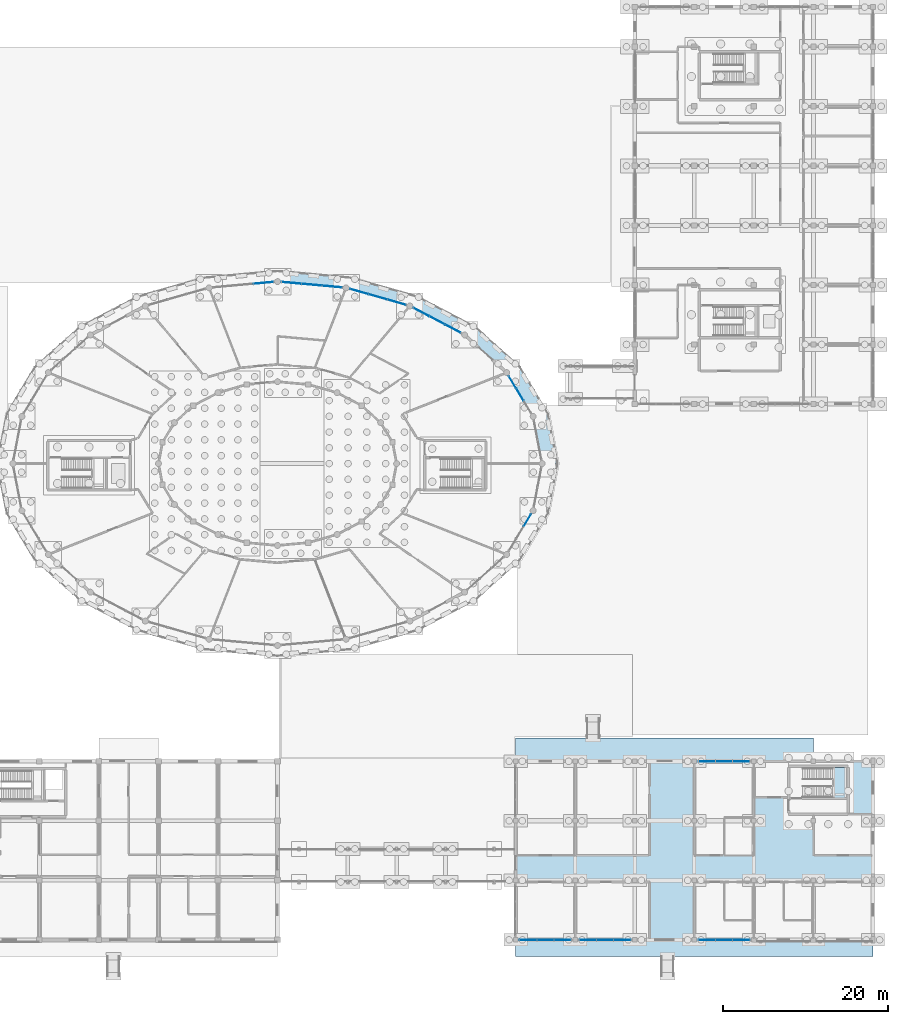
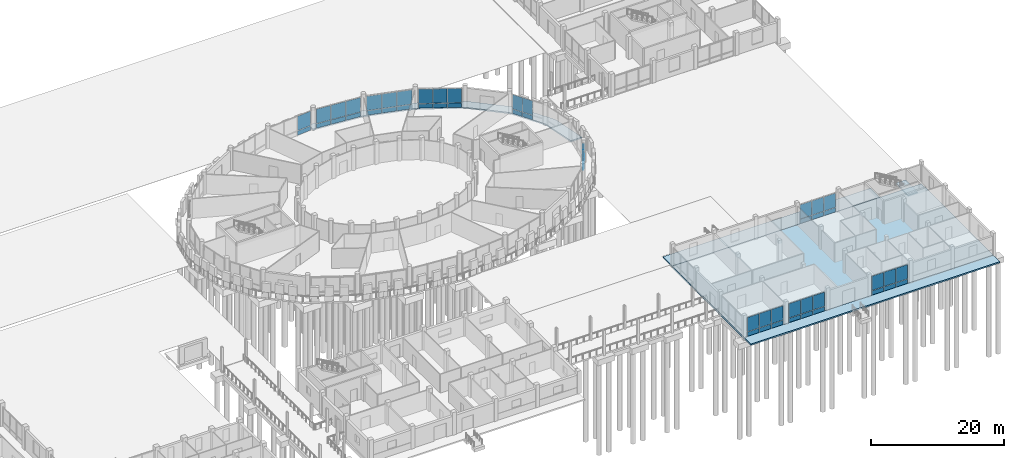
# One storey, part 68 of 98: 50 plates, 5 slabs, 11 elements without a shape of their own.
"""IFC4 building model written with IfcOpenShell, lengths in metres."""

import ifcopenshell
import ifcopenshell.guid

model = None  # the IFC model being written
_history = None  # IfcOwnerHistory: only IFC2X3 demands one
_inside = {}  # id of a spatial element -> (the spatial element, [elements in it])
_under = {}  # id of a project, library or spatial element -> (it, [spatial elements below it])
_declared = {}  # id of a project -> (the project, [libraries it declares])
_typed = {}  # id of a type object -> (the type object, [elements of that type])
_made_of = {}  # id of a material, layer set ... -> (it, [elements and type objects made of it])


def new_model(schema):
    """Start an empty IFC model of exactly this schema.

    Asked for "IFC4X3", IfcOpenShell would pick the latest addendum, in which some entities
    have other attributes; the version numbers below select the first issue.
    IFC2X3 requires an IfcOwnerHistory on every rooted entity: one is made here for all.
    """
    global model, _history
    if schema == "IFC4X3":
        model = ifcopenshell.file(schema_version=(4, 3, 0, 0))
    else:
        model = ifcopenshell.file(schema=schema)
    _inside.clear()
    _under.clear()
    _declared.clear()
    _typed.clear()
    _made_of.clear()
    _history = None
    if model.schema == "IFC2X3":
        org = make("IfcOrganization", Name="unknown")
        user = make(
            "IfcPersonAndOrganization",
            ThePerson=make("IfcPerson", FamilyName="unknown"),
            TheOrganization=org,
        )
        app = make(
            "IfcApplication",
            ApplicationDeveloper=org,
            Version="unknown",
            ApplicationFullName="unknown",
            ApplicationIdentifier="unknown",
        )
        _history = make(
            "IfcOwnerHistory",
            OwningUser=user,
            OwningApplication=app,
            ChangeAction="ADDED",
            CreationDate=0,
        )
    return model


def make(cls, **values):
    """One entity of the class cls with the attributes given. An attribute that is None is left unset."""
    return model.create_entity(
        cls, **{name: value for name, value in values.items() if value is not None}
    )


def rooted(cls, **values):
    """An entity with a GlobalId (a new one), such as an element, a storey or a relation."""
    return make(cls, GlobalId=ifcopenshell.guid.new(), OwnerHistory=_history, **values)


def si_unit(unit_type, name, prefix=None):
    """IfcSIUnit, for example si_unit("LENGTHUNIT", "METRE", prefix="MILLI")."""
    return make("IfcSIUnit", UnitType=unit_type, Prefix=prefix, Name=name)


def assignment(units):
    """IfcUnitAssignment: the units of a project."""
    return None if units is None else make("IfcUnitAssignment", Units=units)


def point(xyz):
    """IfcCartesianPoint."""
    return None if xyz is None else make("IfcCartesianPoint", Coordinates=xyz)


def direction(xyz):
    """IfcDirection."""
    return None if xyz is None else make("IfcDirection", DirectionRatios=xyz)


def frame(location, z_axis=None, x_axis=None):
    """IfcAxis2Placement3D, a coordinate frame: its origin and axes. An axis left out is left unset."""
    return make(
        "IfcAxis2Placement3D",
        Location=point(location),
        Axis=direction(z_axis),
        RefDirection=direction(x_axis),
    )


def frame_2d(location, x_axis=None):
    """IfcAxis2Placement2D, a coordinate frame in the plane: its origin and x axis."""
    return make(
        "IfcAxis2Placement2D", Location=point(location), RefDirection=direction(x_axis)
    )


def origin():
    """The frame at (0, 0, 0) with its axes left unset."""
    return frame((0.0, 0.0, 0.0))


def origin_2d():
    """The frame at (0, 0) in the plane with its x axis left unset."""
    return frame_2d((0.0, 0.0))


def place(relative_to, where):
    """IfcLocalPlacement: puts the frame where relative to a parent placement (None: the world)."""
    return make(
        "IfcLocalPlacement", PlacementRelTo=relative_to, RelativePlacement=where
    )


def context(
    kind, dimensions, precision=None, world=None, true_north=None, identifier=None
):
    """IfcGeometricRepresentationContext, for example the 3D "Model" context."""
    return make(
        "IfcGeometricRepresentationContext",
        ContextIdentifier=identifier,
        ContextType=kind,
        CoordinateSpaceDimension=dimensions,
        Precision=precision,
        WorldCoordinateSystem=world,
        TrueNorth=true_north,
    )


def subcontext(parent, identifier, kind, view, scale=None):
    """IfcGeometricRepresentationSubContext, for example "Body" below "Model"."""
    return make(
        "IfcGeometricRepresentationSubContext",
        ContextIdentifier=identifier,
        ContextType=kind,
        ParentContext=parent,
        TargetScale=scale,
        TargetView=view,
    )


def project(units=None, contexts=None):
    """IfcProject with its units and contexts."""
    return rooted(
        "IfcProject",
        Name="project",
        RepresentationContexts=contexts,
        UnitsInContext=assignment(units),
    )


def spatial(cls, under=None, at=None, **own):
    """A site, building, storey or space (cls), placed at a placement, below another one or the project."""
    s = rooted(cls, ObjectPlacement=at, **own)
    if under is not None:
        _under.setdefault(under.id(), (under, []))[1].append(s)
    return s


def polyline(points):
    """IfcPolyline through the points."""
    return make("IfcPolyline", Points=[point(p) for p in points])


def profile(cls, at=None, kind="AREA", **sizes):
    """A parametric profile (cls). Its sizes go by their IFC names, for example OverallWidth=200.0."""
    return make(cls, ProfileType=kind, Position=at, **sizes)


def rectangle(**sizes):
    """IfcRectangleProfileDef."""
    return profile("IfcRectangleProfileDef", **sizes)


def outline(outer, holes=None, kind="AREA"):
    """IfcArbitraryClosedProfileDef: a profile drawn as a closed curve; with holes, ...WithVoids."""
    if holes is None:
        return make("IfcArbitraryClosedProfileDef", ProfileType=kind, OuterCurve=outer)
    return make(
        "IfcArbitraryProfileDefWithVoids",
        ProfileType=kind,
        OuterCurve=outer,
        InnerCurves=holes,
    )


def extrude(swept, where, along, depth):
    """IfcExtrudedAreaSolid: the profile swept, set in the frame where, extruded along a direction by depth."""
    return make(
        "IfcExtrudedAreaSolid",
        SweptArea=swept,
        Position=where,
        ExtrudedDirection=direction(along),
        Depth=depth,
    )


def shape(context_of_items, identifier, shape_type, items):
    """IfcShapeRepresentation: the items that make up one representation, for example the "Body"."""
    return make(
        "IfcShapeRepresentation",
        ContextOfItems=context_of_items,
        RepresentationIdentifier=identifier,
        RepresentationType=shape_type,
        Items=items,
    )


def material(Name=None, Category=None):
    """IfcMaterial."""
    return make("IfcMaterial", Name=Name, Category=Category)


def layer(
    of_material, thickness, ventilated=None, Name=None, Category=None, Priority=None
):
    """IfcMaterialLayer: one layer of a wall or slab, of a material (None: an air gap)."""
    return make(
        "IfcMaterialLayer",
        Material=of_material,
        LayerThickness=thickness,
        IsVentilated=ventilated,
        Name=Name,
        Category=Category,
        Priority=Priority,
    )


def layer_set(layers, Name=None):
    """IfcMaterialLayerSet."""
    return make("IfcMaterialLayerSet", MaterialLayers=layers, LayerSetName=Name)


def made_of(thing, what):
    """Note that an element or type object is made of a material, layer set ...; save() writes the relation."""
    if what is not None:
        _made_of.setdefault(what.id(), (what, []))[1].append(thing)
    return thing


def type_object(cls, material=None, **own):
    """A type object (cls), such as IfcWallType, which elements share."""
    return made_of(rooted(cls, **own), material)


def element(
    cls,
    number,
    at=None,
    inside=None,
    cuts=None,
    type_object=None,
    material=None,
    context=None,
    identifier="Body",
    shape_type=None,
    held_by="IfcProductDefinitionShape",
    body=None,
    shapes=None,
    **own,
):
    """One element of the class cls, such as IfcWall. Its Tag is "e" and its number.

    at: its placement. inside: the storey or other place that contains it. cuts: it is an
    opening in that element (IfcRelVoidsElement). A single representation is given by context,
    identifier, shape_type and body (its items); several are given by shapes. held_by: the class
    of the entity that holds the representations. save() writes the other relations.
    """
    e = rooted(cls, Tag="e%d" % number, ObjectPlacement=at, **own)
    if body is not None:
        shapes = [shape(context, identifier, shape_type, body)]
    if shapes is not None:
        e.Representation = make(held_by, Representations=shapes)
    if inside is not None:
        _inside.setdefault(inside.id(), (inside, []))[1].append(e)
    if cuts is not None:
        rooted(
            "IfcRelVoidsElement", RelatingBuildingElement=cuts, RelatedOpeningElement=e
        )
    if type_object is not None:
        _typed.setdefault(type_object.id(), (type_object, []))[1].append(e)
    return made_of(e, material)


def aggregate(whole, parts):
    """IfcRelAggregates: a whole, such as a stair, and the parts it consists of."""
    return rooted("IfcRelAggregates", RelatingObject=whole, RelatedObjects=parts)


def save(model, path):
    """Write the relations noted so far, then the file.

    IfcRelAggregates (storeys below a building ...), IfcRelContainedInSpatialStructure (elements
    in a storey), IfcRelDefinesByType, IfcRelAssociatesMaterial and IfcRelDeclares: one each for
    every whole, place, type object, material and project.
    """
    for whole, parts in _under.values():
        aggregate(whole, parts)
    for where, things in _inside.values():
        rooted(
            "IfcRelContainedInSpatialStructure",
            RelatedElements=things,
            RelatingStructure=where,
        )
    for kind, things in _typed.values():
        rooted("IfcRelDefinesByType", RelatedObjects=things, RelatingType=kind)
    for what, things in _made_of.values():
        rooted("IfcRelAssociatesMaterial", RelatedObjects=things, RelatingMaterial=what)
    for by, libraries in _declared.values():
        rooted("IfcRelDeclares", RelatingContext=by, RelatedDefinitions=libraries)
    model.write(path)


model = new_model("IFC4")

# Units and contexts
model_context = context("Model", 3, precision=1e-05, world=origin(), true_north=direction((0.0, 1.0)))
body_context = subcontext(model_context, "Body", "Model", "MODEL_VIEW")
ifc_project = project(units=[si_unit("LENGTHUNIT", "METRE"), si_unit("AREAUNIT", "SQUARE_METRE"), si_unit("VOLUMEUNIT", "CUBIC_METRE"), si_unit("PLANEANGLEUNIT", "RADIAN"), si_unit("MASSUNIT", "GRAM", prefix="KILO")], contexts=[model_context])

# Site, building, storey
site_placement = place(None, origin())
site = spatial("IfcSite", under=ifc_project, at=site_placement, CompositionType="ELEMENT")
building_placement = place(site_placement, origin())
building = spatial("IfcBuilding", under=site, at=building_placement, Name="Zornivar Specialist Clinic", CompositionType="ELEMENT")
storey_placement = place(building_placement, origin())
storey = spatial("IfcBuildingStorey", under=building, at=storey_placement, Name="L00", CompositionType="ELEMENT", Elevation=0.0)

# Curtain wall, plate
ifc_material_1 = material(Name="Aluminium and Low-E Glass Curtain Wall", Category="aluminium")
curtain_wall_type_1 = type_object("IfcCurtainWallType", Name="CW-DRUM-FACET", PredefinedType="NOTDEFINED", material=ifc_material_1)
curtain_wall_1_placement = place(storey_placement, origin())
curtain_wall_1 = element("IfcCurtainWall", 1, at=curtain_wall_1_placement, inside=storey, type_object=curtain_wall_type_1, Name="cw:V1:L00:c06", PredefinedType="NOTDEFINED")
ifc_material_2 = material(Name="Insulated Bronze Spandrel Panel")
ifc_layer_1 = layer(ifc_material_2, 0.048095703125)
ifc_layer_set_1 = layer_set([ifc_layer_1], Name="Insulated Bronze Spandrel Panel")
plate_type_1 = type_object("IfcPlateType", Name="CWP-SPN-A", PredefinedType="CURTAIN_PANEL", material=ifc_layer_set_1)
plate_1_placement = place(storey_placement, frame((91.90087890625, 79.446044921875, 0.030029296875), z_axis=(0.0, 0.0, 1.0), x_axis=(-0.995932792393, -0.09009923993, 0.0)))
plate_1 = element("IfcPlate", 2, at=plate_1_placement, type_object=plate_type_1, Name="cw:V1:L00:c06:spn:0", PredefinedType="CURTAIN_PANEL", context=body_context, shape_type="SweptSolid", body=[
    extrude(rectangle(XDim=2.382080078125, YDim=0.048095703125, at=origin_2d()), origin(), (0.0, 0.0, 1.0), 0.7900390625),
])

# Curtain wall, plates
curtain_wall_2_placement = place(storey_placement, origin())
curtain_wall_2 = element("IfcCurtainWall", 3, at=curtain_wall_2_placement, inside=storey, type_object=curtain_wall_type_1, Name="cw:V1:L00:c01", PredefinedType="NOTDEFINED")
ifc_material_3 = material(Name="Insulated Bronze Spandrel Panel")
ifc_layer_2 = layer(ifc_material_3, 0.048095703125)
ifc_layer_set_2 = layer_set([ifc_layer_2], Name="Insulated Bronze Spandrel Panel")
plate_type_2 = type_object("IfcPlateType", Name="CWP-SPN-B", PredefinedType="CURTAIN_PANEL", material=ifc_layer_set_2)
plate_2_placement = place(storey_placement, frame((122.912109375, 65.947021484375, 0.030029296875), z_axis=(0.0, 0.0, 1.0), x_axis=(-0.516127401954, 0.856511824175, 0.0)))
plate_2 = element("IfcPlate", 4, at=plate_2_placement, type_object=plate_type_2, Name="cw:V1:L00:c01:spn:1", PredefinedType="CURTAIN_PANEL", context=body_context, shape_type="SweptSolid", body=[
    extrude(rectangle(XDim=1.675048828125, YDim=0.048095703125, at=origin_2d()), origin(), (0.0, 0.0, 1.0), 0.7900390625),
])
plate_3_placement = place(storey_placement, frame((122.010986328125, 67.44189453125, 0.030029296875), z_axis=(0.0, 0.0, 1.0), x_axis=(-0.516127401954, 0.856511824175, 0.0)))
plate_3 = element("IfcPlate", 5, at=plate_3_placement, type_object=plate_type_2, Name="cw:V1:L00:c01:spn:2", PredefinedType="CURTAIN_PANEL", context=body_context, shape_type="SweptSolid", body=[
    extrude(rectangle(XDim=1.675048828125, YDim=0.048095703125, at=origin_2d()), origin(), (0.0, 0.0, 1.0), 0.7900390625),
])

curtain_wall_3_placement = place(storey_placement, origin())
curtain_wall_3 = element("IfcCurtainWall", 6, at=curtain_wall_3_placement, inside=storey, type_object=curtain_wall_type_1, Name="cw:V1:L00:c03", PredefinedType="NOTDEFINED")
ifc_material_4 = material(Name="Insulated Limestone-Faced Spandrel Panel", Category="masonry")
ifc_layer_3 = layer(ifc_material_4, 0.05810546875)
ifc_layer_set_3 = layer_set([ifc_layer_3], Name="Insulated Limestone-Faced Spandrel Panel")
plate_type_3 = type_object("IfcPlateType", Name="CWP-SPN-D", PredefinedType="CURTAIN_PANEL", material=ifc_layer_set_3)
plate_4_placement = place(storey_placement, frame((114.839111328125, 73.887939453125, 0.030029296875), z_axis=(0.0, 0.0, 1.0), x_axis=(-0.884383019078, 0.46676190458, 0.0)))
plate_4 = element("IfcPlate", 7, at=plate_4_placement, type_object=plate_type_3, Name="cw:V1:L00:c03:spn:0", PredefinedType="CURTAIN_PANEL", context=body_context, shape_type="SweptSolid", body=[
    extrude(rectangle(XDim=2.10791015625, YDim=0.05810546875, at=origin_2d()), origin(), (0.0, 0.0, 1.0), 0.7900390625),
])
plate_5_placement = place(storey_placement, frame((112.9130859375, 74.904052734375, 0.030029296875), z_axis=(0.0, 0.0, 1.0), x_axis=(-0.884383019078, 0.46676190458, 0.0)))
plate_5 = element("IfcPlate", 8, at=plate_5_placement, type_object=plate_type_3, Name="cw:V1:L00:c03:spn:1", PredefinedType="CURTAIN_PANEL", context=body_context, shape_type="SweptSolid", body=[
    extrude(rectangle(XDim=2.10791015625, YDim=0.05810546875, at=origin_2d()), origin(), (0.0, 0.0, 1.0), 0.7900390625),
])
plate_6_placement = place(storey_placement, frame((110.987060546875, 75.9208984375, 0.030029296875), z_axis=(0.0, 0.0, 1.0), x_axis=(-0.884383019078, 0.46676190458, 0.0)))
plate_6 = element("IfcPlate", 9, at=plate_6_placement, type_object=plate_type_3, Name="cw:V1:L00:c03:spn:2", PredefinedType="CURTAIN_PANEL", context=body_context, shape_type="SweptSolid", body=[
    extrude(rectangle(XDim=2.10791015625, YDim=0.05810546875, at=origin_2d()), origin(), (0.0, 0.0, 1.0), 0.7900390625),
])

curtain_wall_4_placement = place(storey_placement, origin())
curtain_wall_4 = element("IfcCurtainWall", 10, at=curtain_wall_4_placement, inside=storey, type_object=curtain_wall_type_1, Name="cw:V1:L00:c04", PredefinedType="NOTDEFINED")
ifc_material_5 = material(Name="Insulated Bronze Spandrel Panel")
ifc_layer_4 = layer(ifc_material_5, 0.0458984375)
ifc_layer_set_4 = layer_set([ifc_layer_4], Name="Insulated Bronze Spandrel Panel")
plate_type_4 = type_object("IfcPlateType", Name="CWP-SPN-E", PredefinedType="CURTAIN_PANEL", material=ifc_layer_set_4)
plate_7_placement = place(storey_placement, frame((108.006103515625, 77.10595703125, 0.030029296875), z_axis=(0.0, 0.0, 1.0), x_axis=(-0.961761244933, 0.273889225319, 0.0)))
plate_7 = element("IfcPlate", 11, at=plate_7_placement, type_object=plate_type_4, Name="cw:V1:L00:c04:spn:0", PredefinedType="CURTAIN_PANEL", context=body_context, shape_type="SweptSolid", body=[
    extrude(rectangle(XDim=2.284912109375, YDim=0.0458984375, at=origin_2d()), origin(), (0.0, 0.0, 1.0), 0.7900390625),
])
plate_8_placement = place(storey_placement, frame((105.740966796875, 77.7509765625, 0.030029296875), z_axis=(0.0, 0.0, 1.0), x_axis=(-0.961761244933, 0.273889225319, 0.0)))
plate_8 = element("IfcPlate", 12, at=plate_8_placement, type_object=plate_type_4, Name="cw:V1:L00:c04:spn:1", PredefinedType="CURTAIN_PANEL", context=body_context, shape_type="SweptSolid", body=[
    extrude(rectangle(XDim=2.284912109375, YDim=0.0458984375, at=origin_2d()), origin(), (0.0, 0.0, 1.0), 0.7900390625),
])
plate_9_placement = place(storey_placement, frame((103.47607421875, 78.39599609375, 0.030029296875), z_axis=(0.0, 0.0, 1.0), x_axis=(-0.961761244933, 0.273889225319, 0.0)))
plate_9 = element("IfcPlate", 13, at=plate_9_placement, type_object=plate_type_4, Name="cw:V1:L00:c04:spn:2", PredefinedType="CURTAIN_PANEL", context=body_context, shape_type="SweptSolid", body=[
    extrude(rectangle(XDim=2.284912109375, YDim=0.0458984375, at=origin_2d()), origin(), (0.0, 0.0, 1.0), 0.7900390625),
])

# Curtain wall, plate
curtain_wall_5_placement = place(storey_placement, origin())
curtain_wall_5 = element("IfcCurtainWall", 14, at=curtain_wall_5_placement, inside=storey, type_object=curtain_wall_type_1, Name="cw:V1:L00:c22", PredefinedType="NOTDEFINED")
plate_10_placement = place(storey_placement, frame((123.81201171875, 50.748046875, 0.030029296875), z_axis=(0.0, 0.0, 1.0), x_axis=(0.516127401954, 0.856511824175, 0.0)))
plate_10 = element("IfcPlate", 15, at=plate_10_placement, type_object=plate_type_4, Name="cw:V1:L00:c22:spn:2", PredefinedType="CURTAIN_PANEL", context=body_context, shape_type="SweptSolid", body=[
    extrude(rectangle(XDim=1.675048828125, YDim=0.0458984375, at=origin_2d()), origin(), (0.0, 0.0, 1.0), 0.7900390625),
])

# Curtain wall, plates
curtain_wall_6_placement = place(storey_placement, origin())
curtain_wall_6 = element("IfcCurtainWall", 16, at=curtain_wall_6_placement, inside=storey, type_object=curtain_wall_type_1, Name="cw:V1:L00:c05", PredefinedType="NOTDEFINED")
ifc_material_6 = material(Name="Insulated Terracotta Spandrel Panel", Category="masonry")
ifc_layer_5 = layer(ifc_material_6, 0.05810546875)
ifc_layer_set_5 = layer_set([ifc_layer_5], Name="Insulated Terracotta Spandrel Panel")
plate_type_5 = type_object("IfcPlateType", Name="CWP-SPN-F", PredefinedType="CURTAIN_PANEL", material=ifc_layer_set_5)
plate_11_placement = place(storey_placement, frame((100.18310546875, 79.00390625, 0.030029296875), z_axis=(0.0, 0.0, 1.0), x_axis=(-0.995932792393, 0.09009923993, 0.0)))
plate_11 = element("IfcPlate", 17, at=plate_11_placement, type_object=plate_type_5, Name="cw:V1:L00:c05:spn:0", PredefinedType="CURTAIN_PANEL", context=body_context, shape_type="SweptSolid", body=[
    extrude(rectangle(XDim=2.382080078125, YDim=0.05810546875, at=origin_2d()), origin(), (0.0, 0.0, 1.0), 0.7900390625),
])
plate_12_placement = place(storey_placement, frame((97.740966796875, 79.22509765625, 0.030029296875), z_axis=(0.0, 0.0, 1.0), x_axis=(-0.995932792393, 0.09009923993, 0.0)))
plate_12 = element("IfcPlate", 18, at=plate_12_placement, type_object=plate_type_5, Name="cw:V1:L00:c05:spn:1", PredefinedType="CURTAIN_PANEL", context=body_context, shape_type="SweptSolid", body=[
    extrude(rectangle(XDim=2.382080078125, YDim=0.05810546875, at=origin_2d()), origin(), (0.0, 0.0, 1.0), 0.7900390625),
])
plate_13_placement = place(storey_placement, frame((95.299072265625, 79.446044921875, 0.030029296875), z_axis=(0.0, 0.0, 1.0), x_axis=(-0.995932792393, 0.09009923993, 0.0)))
plate_13 = element("IfcPlate", 19, at=plate_13_placement, type_object=plate_type_5, Name="cw:V1:L00:c05:spn:2", PredefinedType="CURTAIN_PANEL", context=body_context, shape_type="SweptSolid", body=[
    extrude(rectangle(XDim=2.382080078125, YDim=0.05810546875, at=origin_2d()), origin(), (0.0, 0.0, 1.0), 0.7900390625),
])

ifc_material_7 = material(Name="Aluminium and Low-E Glass Curtain Wall", Category="aluminium")
curtain_wall_type_2 = type_object("IfcCurtainWallType", Name="CW-WINTERGARDEN", PredefinedType="NOTDEFINED", material=ifc_material_7)
curtain_wall_7_placement = place(storey_placement, origin())
curtain_wall_7 = element("IfcCurtainWall", 20, at=curtain_wall_7_placement, inside=storey, type_object=curtain_wall_type_2, Name="cw:V4:L00:00", PredefinedType="NOTDEFINED")
plate_14_placement = place(storey_placement, frame((123.919921875, 0.0, 0.030029296875), z_axis=(0.0, 0.0, 1.0), x_axis=(1.0, 0.0, 0.0)))
plate_14 = element("IfcPlate", 21, at=plate_14_placement, type_object=plate_type_5, Name="cw:V4:L00:00:spn:0", PredefinedType="CURTAIN_PANEL", context=body_context, shape_type="SweptSolid", body=[
    extrude(rectangle(XDim=2.010009765625, YDim=0.05810546875, at=origin_2d()), origin(), (0.0, 0.0, 1.0), 0.7900390625),
])
plate_15_placement = place(storey_placement, frame((126.0, 0.0, 0.030029296875), z_axis=(0.0, 0.0, 1.0), x_axis=(1.0, 0.0, 0.0)))
plate_15 = element("IfcPlate", 22, at=plate_15_placement, type_object=plate_type_5, Name="cw:V4:L00:00:spn:1", PredefinedType="CURTAIN_PANEL", context=body_context, shape_type="SweptSolid", body=[
    extrude(rectangle(XDim=2.010009765625, YDim=0.05810546875, at=origin_2d()), origin(), (0.0, 0.0, 1.0), 0.7900390625),
])
plate_16_placement = place(storey_placement, frame((128.080078125, 0.0, 0.030029296875), z_axis=(0.0, 0.0, 1.0), x_axis=(1.0, 0.0, 0.0)))
plate_16 = element("IfcPlate", 23, at=plate_16_placement, type_object=plate_type_5, Name="cw:V4:L00:00:spn:2", PredefinedType="CURTAIN_PANEL", context=body_context, shape_type="SweptSolid", body=[
    extrude(rectangle(XDim=2.010009765625, YDim=0.05810546875, at=origin_2d()), origin(), (0.0, 0.0, 1.0), 0.7900390625),
])

curtain_wall_8_placement = place(storey_placement, origin())
curtain_wall_8 = element("IfcCurtainWall", 24, at=curtain_wall_8_placement, inside=storey, type_object=curtain_wall_type_2, Name="cw:V4:L00:01", PredefinedType="NOTDEFINED")
plate_17_placement = place(storey_placement, frame((131.1201171875, 0.0, 0.030029296875), z_axis=(0.0, 0.0, 1.0), x_axis=(1.0, 0.0, 0.0)))
plate_17 = element("IfcPlate", 25, at=plate_17_placement, type_object=plate_type_5, Name="cw:V4:L00:01:spn:0", PredefinedType="CURTAIN_PANEL", context=body_context, shape_type="SweptSolid", body=[
    extrude(rectangle(XDim=2.010009765625, YDim=0.05810546875, at=origin_2d()), origin(), (0.0, 0.0, 1.0), 0.7900390625),
])
plate_18_placement = place(storey_placement, frame((133.199951171875, 0.0, 0.030029296875), z_axis=(0.0, 0.0, 1.0), x_axis=(1.0, 0.0, 0.0)))
plate_18 = element("IfcPlate", 26, at=plate_18_placement, type_object=plate_type_5, Name="cw:V4:L00:01:spn:1", PredefinedType="CURTAIN_PANEL", context=body_context, shape_type="SweptSolid", body=[
    extrude(rectangle(XDim=2.010009765625, YDim=0.05810546875, at=origin_2d()), origin(), (0.0, 0.0, 1.0), 0.7900390625),
])
plate_19_placement = place(storey_placement, frame((135.280029296875, 0.0, 0.030029296875), z_axis=(0.0, 0.0, 1.0), x_axis=(1.0, 0.0, 0.0)))
plate_19 = element("IfcPlate", 27, at=plate_19_placement, type_object=plate_type_5, Name="cw:V4:L00:01:spn:2", PredefinedType="CURTAIN_PANEL", context=body_context, shape_type="SweptSolid", body=[
    extrude(rectangle(XDim=2.010009765625, YDim=0.05810546875, at=origin_2d()), origin(), (0.0, 0.0, 1.0), 0.7900390625),
])

curtain_wall_9_placement = place(storey_placement, origin())
curtain_wall_9 = element("IfcCurtainWall", 28, at=curtain_wall_9_placement, inside=storey, type_object=curtain_wall_type_2, Name="cw:V4:L00:03", PredefinedType="NOTDEFINED")
plate_20_placement = place(storey_placement, frame((145.52001953125, 0.0, 0.030029296875), z_axis=(0.0, 0.0, 1.0), x_axis=(1.0, 0.0, 0.0)))
plate_20 = element("IfcPlate", 29, at=plate_20_placement, type_object=plate_type_5, Name="cw:V4:L00:03:spn:0", PredefinedType="CURTAIN_PANEL", context=body_context, shape_type="SweptSolid", body=[
    extrude(rectangle(XDim=2.010009765625, YDim=0.05810546875, at=origin_2d()), origin(), (0.0, 0.0, 1.0), 0.7900390625),
])
plate_21_placement = place(storey_placement, frame((147.60009765625, 0.0, 0.030029296875), z_axis=(0.0, 0.0, 1.0), x_axis=(1.0, 0.0, 0.0)))
plate_21 = element("IfcPlate", 30, at=plate_21_placement, type_object=plate_type_5, Name="cw:V4:L00:03:spn:1", PredefinedType="CURTAIN_PANEL", context=body_context, shape_type="SweptSolid", body=[
    extrude(rectangle(XDim=2.010009765625, YDim=0.05810546875, at=origin_2d()), origin(), (0.0, 0.0, 1.0), 0.7900390625),
])
plate_22_placement = place(storey_placement, frame((149.679931640625, 0.0, 0.030029296875), z_axis=(0.0, 0.0, 1.0), x_axis=(1.0, 0.0, 0.0)))
plate_22 = element("IfcPlate", 31, at=plate_22_placement, type_object=plate_type_5, Name="cw:V4:L00:03:spn:2", PredefinedType="CURTAIN_PANEL", context=body_context, shape_type="SweptSolid", body=[
    extrude(rectangle(XDim=2.010009765625, YDim=0.05810546875, at=origin_2d()), origin(), (0.0, 0.0, 1.0), 0.7900390625),
])

curtain_wall_10_placement = place(storey_placement, origin())
curtain_wall_10 = element("IfcCurtainWall", 32, at=curtain_wall_10_placement, inside=storey, type_object=curtain_wall_type_2, Name="cw:V4:L00:11", PredefinedType="NOTDEFINED")
plate_23_placement = place(storey_placement, frame((149.679931640625, 21.60009765625, 0.030029296875), z_axis=(0.0, 0.0, 1.0), x_axis=(-1.0, 0.0, 0.0)))
plate_23 = element("IfcPlate", 33, at=plate_23_placement, type_object=plate_type_5, Name="cw:V4:L00:11:spn:0", PredefinedType="CURTAIN_PANEL", context=body_context, shape_type="SweptSolid", body=[
    extrude(rectangle(XDim=2.010009765625, YDim=0.05810546875, at=origin_2d()), origin(), (0.0, 0.0, 1.0), 0.7900390625),
])
plate_24_placement = place(storey_placement, frame((147.60009765625, 21.60009765625, 0.030029296875), z_axis=(0.0, 0.0, 1.0), x_axis=(-1.0, 0.0, 0.0)))
plate_24 = element("IfcPlate", 34, at=plate_24_placement, type_object=plate_type_5, Name="cw:V4:L00:11:spn:1", PredefinedType="CURTAIN_PANEL", context=body_context, shape_type="SweptSolid", body=[
    extrude(rectangle(XDim=2.010009765625, YDim=0.05810546875, at=origin_2d()), origin(), (0.0, 0.0, 1.0), 0.7900390625),
])
plate_25_placement = place(storey_placement, frame((145.52001953125, 21.60009765625, 0.030029296875), z_axis=(0.0, 0.0, 1.0), x_axis=(-1.0, 0.0, 0.0)))
plate_25 = element("IfcPlate", 35, at=plate_25_placement, type_object=plate_type_5, Name="cw:V4:L00:11:spn:2", PredefinedType="CURTAIN_PANEL", context=body_context, shape_type="SweptSolid", body=[
    extrude(rectangle(XDim=2.010009765625, YDim=0.05810546875, at=origin_2d()), origin(), (0.0, 0.0, 1.0), 0.7900390625),
])

# Plate
ifc_material_8 = material(Name="Triple Low-E Vision Glass", Category="glass")
ifc_layer_6 = layer(ifc_material_8, 0.035888671875)
ifc_layer_set_6 = layer_set([ifc_layer_6], Name="Triple Low-E Vision Glass")
plate_type_6 = type_object("IfcPlateType", Name="CWP-VIS-B", PredefinedType="CURTAIN_PANEL", material=ifc_layer_set_6)
plate_26_placement = place(storey_placement, frame((122.912109375, 65.947021484375, 0.884521484375), z_axis=(0.0, 0.0, 1.0), x_axis=(-0.516127401954, 0.856511824175, 0.0)))
plate_26 = element("IfcPlate", 36, at=plate_26_placement, type_object=plate_type_6, Name="cw:V1:L00:c01:vis:1", PredefinedType="CURTAIN_PANEL", context=body_context, shape_type="SweptSolid", body=[
    extrude(rectangle(XDim=1.675048828125, YDim=0.035888671875, at=origin_2d()), origin(), (0.0, 0.0, 1.0), 2.625),
])

plate_27_placement = place(storey_placement, frame((122.010986328125, 67.44189453125, 0.884521484375), z_axis=(0.0, 0.0, 1.0), x_axis=(-0.516127401954, 0.856511824175, 0.0)))
plate_27 = element("IfcPlate", 37, at=plate_27_placement, type_object=plate_type_6, Name="cw:V1:L00:c01:vis:2", PredefinedType="CURTAIN_PANEL", context=body_context, shape_type="SweptSolid", body=[
    extrude(rectangle(XDim=1.675048828125, YDim=0.035888671875, at=origin_2d()), origin(), (0.0, 0.0, 1.0), 2.625),
])

aggregate(curtain_wall_2, [plate_2, plate_26, plate_3, plate_27])

ifc_material_9 = material(Name="Triple Low-E Vision Glass", Category="glass")
ifc_layer_7 = layer(ifc_material_9, 0.035888671875)
ifc_layer_set_7 = layer_set([ifc_layer_7], Name="Triple Low-E Vision Glass")
plate_type_7 = type_object("IfcPlateType", Name="CWP-VIS-C", PredefinedType="CURTAIN_PANEL", material=ifc_layer_set_7)
plate_28_placement = place(storey_placement, frame((123.81201171875, 50.748046875, 0.884521484375), z_axis=(0.0, 0.0, 1.0), x_axis=(0.516127401954, 0.856511824175, 0.0)))
plate_28 = element("IfcPlate", 38, at=plate_28_placement, type_object=plate_type_7, Name="cw:V1:L00:c22:vis:2", PredefinedType="CURTAIN_PANEL", context=body_context, shape_type="SweptSolid", body=[
    extrude(rectangle(XDim=1.675048828125, YDim=0.035888671875, at=origin_2d()), origin(), (0.0, 0.0, 1.0), 2.625),
])

aggregate(curtain_wall_5, [plate_10, plate_28])

ifc_material_10 = material(Name="Triple Low-E Vision Glass", Category="glass")
ifc_layer_8 = layer(ifc_material_10, 0.0380859375)
ifc_layer_set_8 = layer_set([ifc_layer_8], Name="Triple Low-E Vision Glass")
plate_type_8 = type_object("IfcPlateType", Name="CWP-VIS-D", PredefinedType="CURTAIN_PANEL", material=ifc_layer_set_8)
plate_29_placement = place(storey_placement, frame((114.839111328125, 73.887939453125, 0.884521484375), z_axis=(0.0, 0.0, 1.0), x_axis=(-0.884383019078, 0.46676190458, 0.0)))
plate_29 = element("IfcPlate", 39, at=plate_29_placement, type_object=plate_type_8, Name="cw:V1:L00:c03:vis:0", PredefinedType="CURTAIN_PANEL", context=body_context, shape_type="SweptSolid", body=[
    extrude(rectangle(XDim=2.10791015625, YDim=0.0380859375, at=origin_2d()), origin(), (0.0, 0.0, 1.0), 2.625),
])

plate_30_placement = place(storey_placement, frame((112.9130859375, 74.904052734375, 0.884521484375), z_axis=(0.0, 0.0, 1.0), x_axis=(-0.884383019078, 0.46676190458, 0.0)))
plate_30 = element("IfcPlate", 40, at=plate_30_placement, type_object=plate_type_8, Name="cw:V1:L00:c03:vis:1", PredefinedType="CURTAIN_PANEL", context=body_context, shape_type="SweptSolid", body=[
    extrude(rectangle(XDim=2.10791015625, YDim=0.0380859375, at=origin_2d()), origin(), (0.0, 0.0, 1.0), 2.625),
])

plate_31_placement = place(storey_placement, frame((110.987060546875, 75.9208984375, 0.884521484375), z_axis=(0.0, 0.0, 1.0), x_axis=(-0.884383019078, 0.46676190458, 0.0)))
plate_31 = element("IfcPlate", 41, at=plate_31_placement, type_object=plate_type_8, Name="cw:V1:L00:c03:vis:2", PredefinedType="CURTAIN_PANEL", context=body_context, shape_type="SweptSolid", body=[
    extrude(rectangle(XDim=2.10791015625, YDim=0.0380859375, at=origin_2d()), origin(), (0.0, 0.0, 1.0), 2.625),
])

aggregate(curtain_wall_3, [plate_4, plate_29, plate_5, plate_30, plate_6, plate_31])

ifc_material_11 = material(Name="Triple Low-E Vision Glass", Category="glass")
ifc_layer_9 = layer(ifc_material_11, 0.035888671875)
ifc_layer_set_9 = layer_set([ifc_layer_9], Name="Triple Low-E Vision Glass")
plate_type_9 = type_object("IfcPlateType", Name="CWP-VIS-E", PredefinedType="CURTAIN_PANEL", material=ifc_layer_set_9)
plate_32_placement = place(storey_placement, frame((108.006103515625, 77.10595703125, 0.884521484375), z_axis=(0.0, 0.0, 1.0), x_axis=(-0.961761244933, 0.273889225319, 0.0)))
plate_32 = element("IfcPlate", 42, at=plate_32_placement, type_object=plate_type_9, Name="cw:V1:L00:c04:vis:0", PredefinedType="CURTAIN_PANEL", context=body_context, shape_type="SweptSolid", body=[
    extrude(rectangle(XDim=2.284912109375, YDim=0.035888671875, at=origin_2d()), origin(), (0.0, 0.0, 1.0), 2.625),
])

plate_33_placement = place(storey_placement, frame((105.740966796875, 77.7509765625, 0.884521484375), z_axis=(0.0, 0.0, 1.0), x_axis=(-0.961761244933, 0.273889225319, 0.0)))
plate_33 = element("IfcPlate", 43, at=plate_33_placement, type_object=plate_type_9, Name="cw:V1:L00:c04:vis:1", PredefinedType="CURTAIN_PANEL", context=body_context, shape_type="SweptSolid", body=[
    extrude(rectangle(XDim=2.284912109375, YDim=0.035888671875, at=origin_2d()), origin(), (0.0, 0.0, 1.0), 2.625),
])

plate_34_placement = place(storey_placement, frame((103.47607421875, 78.39599609375, 0.884521484375), z_axis=(0.0, 0.0, 1.0), x_axis=(-0.961761244933, 0.273889225319, 0.0)))
plate_34 = element("IfcPlate", 44, at=plate_34_placement, type_object=plate_type_9, Name="cw:V1:L00:c04:vis:2", PredefinedType="CURTAIN_PANEL", context=body_context, shape_type="SweptSolid", body=[
    extrude(rectangle(XDim=2.284912109375, YDim=0.035888671875, at=origin_2d()), origin(), (0.0, 0.0, 1.0), 2.625),
])

aggregate(curtain_wall_4, [plate_7, plate_32, plate_8, plate_33, plate_9, plate_34])

ifc_material_12 = material(Name="Triple Low-E Vision Glass", Category="glass")
ifc_layer_10 = layer(ifc_material_12, 0.035888671875)
ifc_layer_set_10 = layer_set([ifc_layer_10], Name="Triple Low-E Vision Glass")
plate_type_10 = type_object("IfcPlateType", Name="CWP-VIS-F", PredefinedType="CURTAIN_PANEL", material=ifc_layer_set_10)
plate_35_placement = place(storey_placement, frame((100.18310546875, 79.00390625, 0.884521484375), z_axis=(0.0, 0.0, 1.0), x_axis=(-0.995932792393, 0.09009923993, 0.0)))
plate_35 = element("IfcPlate", 45, at=plate_35_placement, type_object=plate_type_10, Name="cw:V1:L00:c05:vis:0", PredefinedType="CURTAIN_PANEL", context=body_context, shape_type="SweptSolid", body=[
    extrude(rectangle(XDim=2.382080078125, YDim=0.035888671875, at=origin_2d()), origin(), (0.0, 0.0, 1.0), 2.625),
])

plate_36_placement = place(storey_placement, frame((97.740966796875, 79.22509765625, 0.884521484375), z_axis=(0.0, 0.0, 1.0), x_axis=(-0.995932792393, 0.09009923993, 0.0)))
plate_36 = element("IfcPlate", 46, at=plate_36_placement, type_object=plate_type_10, Name="cw:V1:L00:c05:vis:1", PredefinedType="CURTAIN_PANEL", context=body_context, shape_type="SweptSolid", body=[
    extrude(rectangle(XDim=2.382080078125, YDim=0.035888671875, at=origin_2d()), origin(), (0.0, 0.0, 1.0), 2.625),
])

plate_37_placement = place(storey_placement, frame((95.299072265625, 79.446044921875, 0.884521484375), z_axis=(0.0, 0.0, 1.0), x_axis=(-0.995932792393, 0.09009923993, 0.0)))
plate_37 = element("IfcPlate", 47, at=plate_37_placement, type_object=plate_type_10, Name="cw:V1:L00:c05:vis:2", PredefinedType="CURTAIN_PANEL", context=body_context, shape_type="SweptSolid", body=[
    extrude(rectangle(XDim=2.382080078125, YDim=0.035888671875, at=origin_2d()), origin(), (0.0, 0.0, 1.0), 2.625),
])

aggregate(curtain_wall_6, [plate_11, plate_35, plate_12, plate_36, plate_13, plate_37])

ifc_material_13 = material(Name="Triple Low-E Vision Glass", Category="glass")
ifc_layer_11 = layer(ifc_material_13, 0.035888671875)
ifc_layer_set_11 = layer_set([ifc_layer_11], Name="Triple Low-E Vision Glass")
plate_type_11 = type_object("IfcPlateType", Name="CWP-VIS-G", PredefinedType="CURTAIN_PANEL", material=ifc_layer_set_11)
plate_38_placement = place(storey_placement, frame((91.90087890625, 79.446044921875, 0.884521484375), z_axis=(0.0, 0.0, 1.0), x_axis=(-0.995932792393, -0.09009923993, 0.0)))
plate_38 = element("IfcPlate", 48, at=plate_38_placement, type_object=plate_type_11, Name="cw:V1:L00:c06:vis:0", PredefinedType="CURTAIN_PANEL", context=body_context, shape_type="SweptSolid", body=[
    extrude(rectangle(XDim=2.382080078125, YDim=0.035888671875, at=origin_2d()), origin(), (0.0, 0.0, 1.0), 2.625),
])

aggregate(curtain_wall_1, [plate_1, plate_38])

ifc_material_14 = material(Name="Solar-Control Wintergarden Glass", Category="glass")
ifc_layer_12 = layer(ifc_material_14, 0.0419921875)
ifc_layer_set_12 = layer_set([ifc_layer_12], Name="Solar-Control Wintergarden Glass")
plate_type_12 = type_object("IfcPlateType", Name="CWP-VIS-K", PredefinedType="CURTAIN_PANEL", material=ifc_layer_set_12)
plate_39_placement = place(storey_placement, frame((123.919921875, 0.0, 0.8857421875), z_axis=(0.0, 0.0, 1.0), x_axis=(1.0, 0.0, 0.0)))
plate_39 = element("IfcPlate", 49, at=plate_39_placement, type_object=plate_type_12, Name="cw:V4:L00:00:vis:0", PredefinedType="CURTAIN_PANEL", context=body_context, shape_type="SweptSolid", body=[
    extrude(rectangle(XDim=2.010009765625, YDim=0.0419921875, at=origin_2d()), origin(), (0.0, 0.0, 1.0), 2.594970703125),
])

plate_40_placement = place(storey_placement, frame((126.0, 0.0, 0.8857421875), z_axis=(0.0, 0.0, 1.0), x_axis=(1.0, 0.0, 0.0)))
plate_40 = element("IfcPlate", 50, at=plate_40_placement, type_object=plate_type_12, Name="cw:V4:L00:00:vis:1", PredefinedType="CURTAIN_PANEL", context=body_context, shape_type="SweptSolid", body=[
    extrude(rectangle(XDim=2.010009765625, YDim=0.0419921875, at=origin_2d()), origin(), (0.0, 0.0, 1.0), 2.594970703125),
])

plate_41_placement = place(storey_placement, frame((128.080078125, 0.0, 0.8857421875), z_axis=(0.0, 0.0, 1.0), x_axis=(1.0, 0.0, 0.0)))
plate_41 = element("IfcPlate", 51, at=plate_41_placement, type_object=plate_type_12, Name="cw:V4:L00:00:vis:2", PredefinedType="CURTAIN_PANEL", context=body_context, shape_type="SweptSolid", body=[
    extrude(rectangle(XDim=2.010009765625, YDim=0.0419921875, at=origin_2d()), origin(), (0.0, 0.0, 1.0), 2.594970703125),
])

aggregate(curtain_wall_7, [plate_14, plate_39, plate_15, plate_40, plate_16, plate_41])

plate_42_placement = place(storey_placement, frame((131.1201171875, 0.0, 0.8857421875), z_axis=(0.0, 0.0, 1.0), x_axis=(1.0, 0.0, 0.0)))
plate_42 = element("IfcPlate", 52, at=plate_42_placement, type_object=plate_type_12, Name="cw:V4:L00:01:vis:0", PredefinedType="CURTAIN_PANEL", context=body_context, shape_type="SweptSolid", body=[
    extrude(rectangle(XDim=2.010009765625, YDim=0.0419921875, at=origin_2d()), origin(), (0.0, 0.0, 1.0), 2.594970703125),
])

plate_43_placement = place(storey_placement, frame((133.199951171875, 0.0, 0.8857421875), z_axis=(0.0, 0.0, 1.0), x_axis=(1.0, 0.0, 0.0)))
plate_43 = element("IfcPlate", 53, at=plate_43_placement, type_object=plate_type_12, Name="cw:V4:L00:01:vis:1", PredefinedType="CURTAIN_PANEL", context=body_context, shape_type="SweptSolid", body=[
    extrude(rectangle(XDim=2.010009765625, YDim=0.0419921875, at=origin_2d()), origin(), (0.0, 0.0, 1.0), 2.594970703125),
])

plate_44_placement = place(storey_placement, frame((135.280029296875, 0.0, 0.8857421875), z_axis=(0.0, 0.0, 1.0), x_axis=(1.0, 0.0, 0.0)))
plate_44 = element("IfcPlate", 54, at=plate_44_placement, type_object=plate_type_12, Name="cw:V4:L00:01:vis:2", PredefinedType="CURTAIN_PANEL", context=body_context, shape_type="SweptSolid", body=[
    extrude(rectangle(XDim=2.010009765625, YDim=0.0419921875, at=origin_2d()), origin(), (0.0, 0.0, 1.0), 2.594970703125),
])

aggregate(curtain_wall_8, [plate_17, plate_42, plate_18, plate_43, plate_19, plate_44])

plate_45_placement = place(storey_placement, frame((145.52001953125, 0.0, 0.8857421875), z_axis=(0.0, 0.0, 1.0), x_axis=(1.0, 0.0, 0.0)))
plate_45 = element("IfcPlate", 55, at=plate_45_placement, type_object=plate_type_12, Name="cw:V4:L00:03:vis:0", PredefinedType="CURTAIN_PANEL", context=body_context, shape_type="SweptSolid", body=[
    extrude(rectangle(XDim=2.010009765625, YDim=0.0419921875, at=origin_2d()), origin(), (0.0, 0.0, 1.0), 2.594970703125),
])

plate_46_placement = place(storey_placement, frame((147.60009765625, 0.0, 0.8857421875), z_axis=(0.0, 0.0, 1.0), x_axis=(1.0, 0.0, 0.0)))
plate_46 = element("IfcPlate", 56, at=plate_46_placement, type_object=plate_type_12, Name="cw:V4:L00:03:vis:1", PredefinedType="CURTAIN_PANEL", context=body_context, shape_type="SweptSolid", body=[
    extrude(rectangle(XDim=2.010009765625, YDim=0.0419921875, at=origin_2d()), origin(), (0.0, 0.0, 1.0), 2.594970703125),
])

plate_47_placement = place(storey_placement, frame((149.679931640625, 0.0, 0.8857421875), z_axis=(0.0, 0.0, 1.0), x_axis=(1.0, 0.0, 0.0)))
plate_47 = element("IfcPlate", 57, at=plate_47_placement, type_object=plate_type_12, Name="cw:V4:L00:03:vis:2", PredefinedType="CURTAIN_PANEL", context=body_context, shape_type="SweptSolid", body=[
    extrude(rectangle(XDim=2.010009765625, YDim=0.0419921875, at=origin_2d()), origin(), (0.0, 0.0, 1.0), 2.594970703125),
])

aggregate(curtain_wall_9, [plate_20, plate_45, plate_21, plate_46, plate_22, plate_47])

plate_48_placement = place(storey_placement, frame((149.679931640625, 21.60009765625, 0.8857421875), z_axis=(0.0, 0.0, 1.0), x_axis=(-1.0, 0.0, 0.0)))
plate_48 = element("IfcPlate", 58, at=plate_48_placement, type_object=plate_type_12, Name="cw:V4:L00:11:vis:0", PredefinedType="CURTAIN_PANEL", context=body_context, shape_type="SweptSolid", body=[
    extrude(rectangle(XDim=2.010009765625, YDim=0.0419921875, at=origin_2d()), origin(), (0.0, 0.0, 1.0), 2.594970703125),
])

plate_49_placement = place(storey_placement, frame((147.60009765625, 21.60009765625, 0.8857421875), z_axis=(0.0, 0.0, 1.0), x_axis=(-1.0, 0.0, 0.0)))
plate_49 = element("IfcPlate", 59, at=plate_49_placement, type_object=plate_type_12, Name="cw:V4:L00:11:vis:1", PredefinedType="CURTAIN_PANEL", context=body_context, shape_type="SweptSolid", body=[
    extrude(rectangle(XDim=2.010009765625, YDim=0.0419921875, at=origin_2d()), origin(), (0.0, 0.0, 1.0), 2.594970703125),
])

plate_50_placement = place(storey_placement, frame((145.52001953125, 21.60009765625, 0.8857421875), z_axis=(0.0, 0.0, 1.0), x_axis=(-1.0, 0.0, 0.0)))
plate_50 = element("IfcPlate", 60, at=plate_50_placement, type_object=plate_type_12, Name="cw:V4:L00:11:vis:2", PredefinedType="CURTAIN_PANEL", context=body_context, shape_type="SweptSolid", body=[
    extrude(rectangle(XDim=2.010009765625, YDim=0.0419921875, at=origin_2d()), origin(), (0.0, 0.0, 1.0), 2.594970703125),
])

aggregate(curtain_wall_10, [plate_23, plate_48, plate_24, plate_49, plate_25, plate_50])

# Slabs
ifc_material_15 = material(Name="Concrete C30/37", Category="concrete")
ifc_layer_13 = layer(ifc_material_15, 0.35009765625)
ifc_layer_set_13 = layer_set([ifc_layer_13], Name="Concrete C30/37")
slab_type_1 = type_object("IfcSlabType", Name="SLB-BASE-350", PredefinedType="BASESLAB", material=ifc_layer_set_13)
slab_1_placement = place(storey_placement, frame((0.0, 0.0, -0.35009765625)))
element("IfcSlab", 61, at=slab_1_placement, inside=storey, type_object=slab_type_1, Name="slab:V4:L00:main", PredefinedType="BASESLAB", context=body_context, shape_type="SweptSolid", body=[
    extrude(outline(polyline([(122.39990234375, 0.0), (165.60009765625, 0.0), (165.60009765625, 21.60009765625), (122.39990234375, 21.60009765625), (122.39990234375, 0.0)])), origin(), (0.0, 0.0, 1.0), 0.35009765625),
])
ifc_material_16 = material(Name="Concrete C30/37", Category="concrete")
ifc_layer_14 = layer(ifc_material_16, 0.25)
ifc_layer_set_14 = layer_set([ifc_layer_14], Name="Concrete C30/37")
slab_type_2 = type_object("IfcSlabType", Name="SLB-EXT-APRON-250", PredefinedType="FLOOR", material=ifc_layer_set_14)
slab_2_placement = place(storey_placement, frame((0.0, 0.0, -0.25)))
element("IfcSlab", 62, at=slab_2_placement, inside=storey, type_object=slab_type_2, Name="slab:apron:L00:V4S", PredefinedType="FLOOR", context=body_context, shape_type="SweptSolid", body=[
    extrude(outline(polyline([(122.39990234375, -2.0), (165.60009765625, -2.0), (165.60009765625, 0.0), (122.39990234375, 0.0), (122.39990234375, -2.0)])), origin(), (0.0, 0.0, 1.0), 0.25),
])
slab_3_placement = place(storey_placement, frame((0.0, 0.0, -0.25)))
element("IfcSlab", 63, at=slab_3_placement, inside=storey, type_object=slab_type_2, Name="slab:apron:L00:V4N", PredefinedType="FLOOR", context=body_context, shape_type="SweptSolid", body=[
    extrude(outline(polyline([(122.39990234375, 21.60009765625), (158.39990234375, 21.60009765625), (158.39990234375, 24.39990234375), (122.39990234375, 24.39990234375), (122.39990234375, 21.60009765625)])), origin(), (0.0, 0.0, 1.0), 0.25),
])
ifc_material_17 = material(Name="Concrete C30/37", Category="concrete")
ifc_layer_15 = layer(ifc_material_17, 0.239990234375)
ifc_layer_set_15 = layer_set([ifc_layer_15], Name="Concrete C30/37")
slab_type_3 = type_object("IfcSlabType", Name="SLB-EXT-BALC-240", PredefinedType="FLOOR", material=ifc_layer_set_15)
slab_4_placement = place(storey_placement, frame((0.0, 0.0, -0.239990234375)))
element("IfcSlab", 64, at=slab_4_placement, inside=storey, type_object=slab_type_3, Name="slab:V1:L00:balc:q0", PredefinedType="FLOOR", context=body_context, shape_type="SweptSolid", body=[
    extrude(outline(polyline([(125.60009765625, 57.60009765625), (124.510009765625, 63.2939453125), (121.31298828125, 68.60009765625), (116.22705078125, 73.156005859375), (109.60009765625, 76.653076171875), (101.882080078125, 78.85009765625), (93.60009765625, 79.60009765625), (93.60009765625, 80.919921875), (102.37890625, 80.125), (110.56005859375, 77.7958984375), (117.5849609375, 74.090087890625), (122.97607421875, 69.260009765625), (126.364013671875, 63.635986328125), (127.52001953125, 57.60009765625), (125.60009765625, 57.60009765625)])), origin(), (0.0, 0.0, 1.0), 0.239990234375),
])

# Stair, slab
ifc_material_18 = material(Name="Concrete C30/37", Category="concrete")
stair_type = type_object("IfcStairType", Name="STR-CORE-L00-L01", PredefinedType="HALF_TURN_STAIR", material=ifc_material_18)
stair_placement = place(storey_placement, origin())
stair = element("IfcStair", 65, at=stair_placement, inside=storey, type_object=stair_type, Name="stair:C6:L00", PredefinedType="HALF_TURN_STAIR")
ifc_material_19 = material(Name="Concrete C30/37", Category="concrete")
ifc_layer_16 = layer(ifc_material_19, 0.2099609375)
ifc_layer_set_16 = layer_set([ifc_layer_16], Name="Concrete C30/37")
slab_type_4 = type_object("IfcSlabType", Name="SLB-LANDING-210", PredefinedType="LANDING", material=ifc_layer_set_16)
slab_5_placement = place(storey_placement, frame((0.0, 0.0, 2.0400390625)))
slab_5 = element("IfcSlab", 66, at=slab_5_placement, type_object=slab_type_4, Name="stair:C6:L00:land", PredefinedType="LANDING", context=body_context, shape_type="SweptSolid", body=[
    extrude(outline(polyline([(160.719970703125, 17.179931640625), (162.419921875, 17.179931640625), (162.419921875, 20.820068359375), (160.719970703125, 20.820068359375), (160.719970703125, 17.179931640625)])), origin(), (0.0, 0.0, 1.0), 0.2099609375),
])
aggregate(stair, [slab_5])

save(model, "model.ifc")
